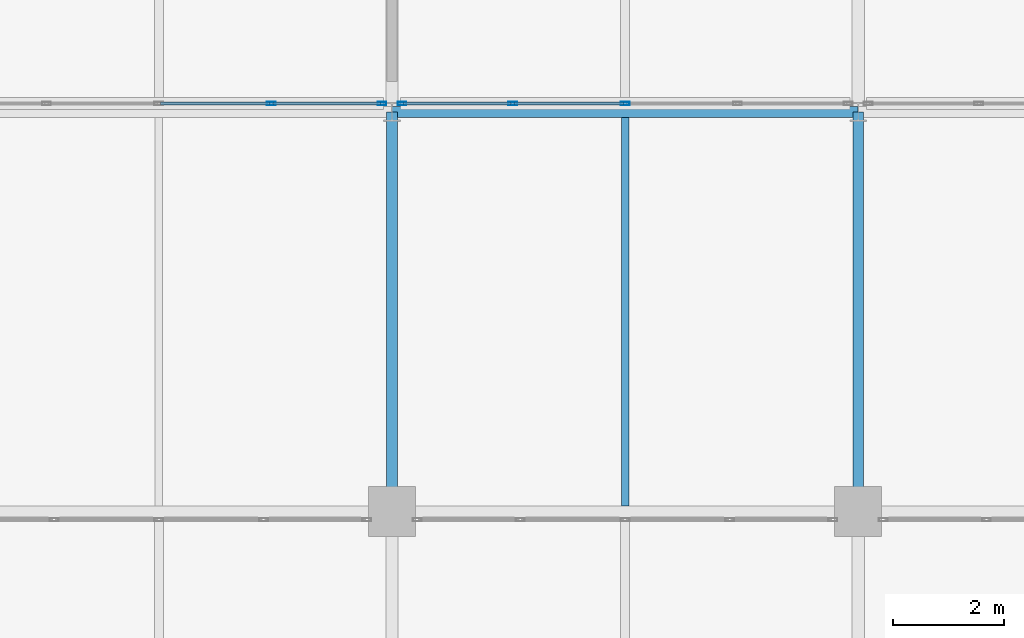
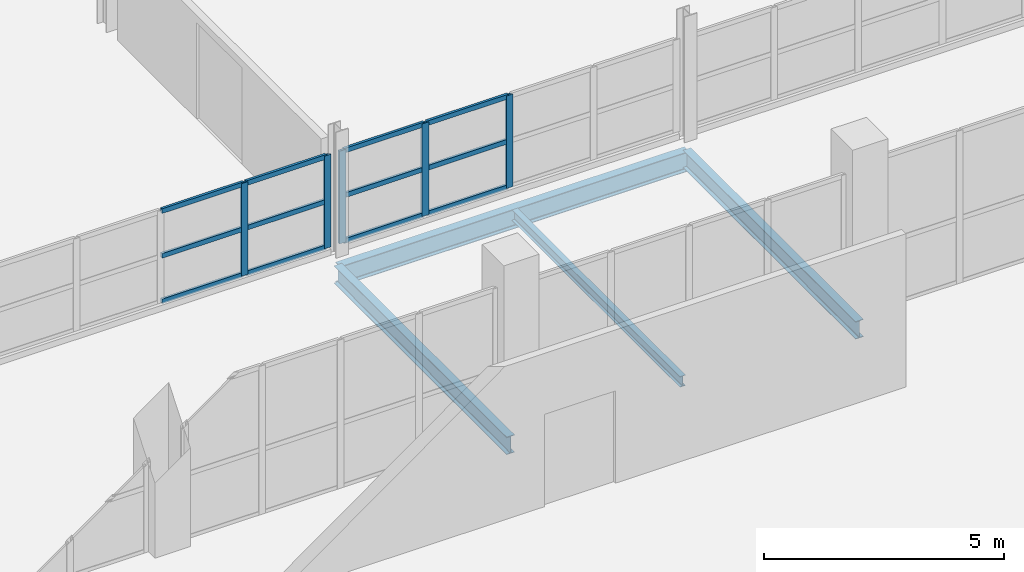
# One storey, part 38 of 103: 17 members, 4 beams, 2 elements without a shape of their own.
"""IFC4 building model written with IfcOpenShell, lengths in metres."""

from ifc_helpers import new_model, si_unit, direction, frame, origin, origin_2d, place, context, subcontext, project, spatial, hollow_rectangle, i_section, extrude, material, material_profile, profile_set, type_object, element, aggregate, save


model = new_model("IFC4")

# Units and contexts
model_context = context("Model", 3, precision=1e-05, world=origin(), true_north=direction((0.0, 1.0)))
body_context = subcontext(model_context, "Body", "Model", "MODEL_VIEW")
ifc_project = project(units=[si_unit("LENGTHUNIT", "METRE"), si_unit("AREAUNIT", "SQUARE_METRE"), si_unit("VOLUMEUNIT", "CUBIC_METRE"), si_unit("PLANEANGLEUNIT", "RADIAN"), si_unit("MASSUNIT", "GRAM", prefix="KILO")], contexts=[model_context])

# Site, building, storey
site_placement = place(None, origin())
site = spatial("IfcSite", under=ifc_project, at=site_placement, CompositionType="ELEMENT")
building_placement = place(site_placement, origin())
building = spatial("IfcBuilding", under=site, at=building_placement, Name="Veltarok Museum of Natural Sciences", CompositionType="ELEMENT")
storey_placement = place(building_placement, frame((0.0, 0.0, 21.89990234375)))
storey = spatial("IfcBuildingStorey", under=building, at=storey_placement, Name="L04", CompositionType="ELEMENT", Elevation=21.89990234375)

# Curtain wall, members
ifc_material_1 = material(Name="Low-iron triple insulated glass", Category="glass")
curtain_wall_type = type_object("IfcCurtainWallType", Name="Curtain Wall System CW-V2S-L04-810x236 (V2 South Setback L04 810x236cm)", PredefinedType="NOTDEFINED", material=ifc_material_1)
curtain_wall_1_placement = place(storey_placement, origin())
curtain_wall_1 = element("IfcCurtainWall", 1, at=curtain_wall_1_placement, inside=storey, type_object=curtain_wall_type, Name="Curtain Wall CW-V2S-L04-810x236 CW-0226", PredefinedType="NOTDEFINED")
ifc_material_2 = material(Name="Thermally broken anodised aluminium", Category="aluminium")
ifc_material_profile_1 = material_profile(ifc_material_2, hollow_rectangle(XDim=0.06005859375, YDim=0.1201171875, WallThickness=0.0048828125, at=origin_2d()), Name="CW TRANSOM 60x120x5")
ifc_profile_set_1 = profile_set([ifc_material_profile_1], Name="Thermally broken anodised aluminium")
member_type_1 = type_object("IfcMemberType", Name="Curtain Wall Horizontal Transom 60x120x5", PredefinedType="USERDEFINED", material=ifc_profile_set_1)
member_1_placement = place(storey_placement, frame((69.429931640625, 26.550048828125, 0.190185546875), z_axis=(1.0, 0.0, 0.0), x_axis=(0.0, 1.0, 0.0)))
member_1 = element("IfcMember", 2, at=member_1_placement, type_object=member_type_1, Name="CW-V2S-L04-810x236 transom 3.1", ObjectType="TRANSOM", PredefinedType="USERDEFINED", context=body_context, shape_type="SweptSolid", body=[
    extrude(hollow_rectangle(XDim=0.06005859375, YDim=0.1201171875, WallThickness=0.0048828125, at=origin_2d()), origin(), (0.0, 0.0, 1.0), 1.965087890625),
])
member_2_placement = place(storey_placement, frame((69.429931640625, 26.550048828125, 1.35009765625), z_axis=(1.0, 0.0, 0.0), x_axis=(0.0, 1.0, 0.0)))
member_2 = element("IfcMember", 3, at=member_2_placement, type_object=member_type_1, Name="CW-V2S-L04-810x236 transom 3.2", ObjectType="TRANSOM", PredefinedType="USERDEFINED", context=body_context, shape_type="SweptSolid", body=[
    extrude(hollow_rectangle(XDim=0.06005859375, YDim=0.1201171875, WallThickness=0.0048828125, at=origin_2d()), origin(), (0.0, 0.0, 1.0), 1.965087890625),
])
member_3_placement = place(storey_placement, frame((69.429931640625, 26.550048828125, 2.489990234375), z_axis=(1.0, 0.0, 0.0), x_axis=(0.0, 1.0, 0.0)))
member_3 = element("IfcMember", 4, at=member_3_placement, type_object=member_type_1, Name="CW-V2S-L04-810x236 transom 3.3", ObjectType="TRANSOM", PredefinedType="USERDEFINED", context=body_context, shape_type="SweptSolid", body=[
    extrude(hollow_rectangle(XDim=0.06005859375, YDim=0.1201171875, WallThickness=0.0048828125, at=origin_2d()), origin(), (0.0, 0.0, 1.0), 1.965087890625),
])
member_4_placement = place(storey_placement, frame((71.455078125, 26.550048828125, 0.190185546875), z_axis=(1.0, 0.0, 0.0), x_axis=(0.0, 1.0, 0.0)))
member_4 = element("IfcMember", 5, at=member_4_placement, type_object=member_type_1, Name="CW-V2S-L04-810x236 transom 4.1", ObjectType="TRANSOM", PredefinedType="USERDEFINED", context=body_context, shape_type="SweptSolid", body=[
    extrude(hollow_rectangle(XDim=0.06005859375, YDim=0.1201171875, WallThickness=0.0048828125, at=origin_2d()), origin(), (0.0, 0.0, 1.0), 1.934814453125),
])
member_5_placement = place(storey_placement, frame((71.455078125, 26.550048828125, 1.35009765625), z_axis=(1.0, 0.0, 0.0), x_axis=(0.0, 1.0, 0.0)))
member_5 = element("IfcMember", 6, at=member_5_placement, type_object=member_type_1, Name="CW-V2S-L04-810x236 transom 4.2", ObjectType="TRANSOM", PredefinedType="USERDEFINED", context=body_context, shape_type="SweptSolid", body=[
    extrude(hollow_rectangle(XDim=0.06005859375, YDim=0.1201171875, WallThickness=0.0048828125, at=origin_2d()), origin(), (0.0, 0.0, 1.0), 1.934814453125),
])
member_6_placement = place(storey_placement, frame((71.455078125, 26.550048828125, 2.489990234375), z_axis=(1.0, 0.0, 0.0), x_axis=(0.0, 1.0, 0.0)))
member_6 = element("IfcMember", 7, at=member_6_placement, type_object=member_type_1, Name="CW-V2S-L04-810x236 transom 4.3", ObjectType="TRANSOM", PredefinedType="USERDEFINED", context=body_context, shape_type="SweptSolid", body=[
    extrude(hollow_rectangle(XDim=0.06005859375, YDim=0.1201171875, WallThickness=0.0048828125, at=origin_2d()), origin(), (0.0, 0.0, 1.0), 1.934814453125),
])

curtain_wall_2_placement = place(storey_placement, origin())
curtain_wall_2 = element("IfcCurtainWall", 8, at=curtain_wall_2_placement, inside=storey, type_object=curtain_wall_type, Name="Curtain Wall CW-V2S-L04-810x236 CW-0227", PredefinedType="NOTDEFINED")
member_7_placement = place(storey_placement, frame((73.81005859375, 26.550048828125, 0.190185546875), z_axis=(1.0, 0.0, 0.0), x_axis=(0.0, 1.0, 0.0)))
member_7 = element("IfcMember", 9, at=member_7_placement, type_object=member_type_1, Name="CW-V2S-L04-810x236 transom 1.1", ObjectType="TRANSOM", PredefinedType="USERDEFINED", context=body_context, shape_type="SweptSolid", body=[
    extrude(hollow_rectangle(XDim=0.06005859375, YDim=0.1201171875, WallThickness=0.0048828125, at=origin_2d()), origin(), (0.0, 0.0, 1.0), 1.93505859375),
])
member_8_placement = place(storey_placement, frame((73.81005859375, 26.550048828125, 1.35009765625), z_axis=(1.0, 0.0, 0.0), x_axis=(0.0, 1.0, 0.0)))
member_8 = element("IfcMember", 10, at=member_8_placement, type_object=member_type_1, Name="CW-V2S-L04-810x236 transom 1.2", ObjectType="TRANSOM", PredefinedType="USERDEFINED", context=body_context, shape_type="SweptSolid", body=[
    extrude(hollow_rectangle(XDim=0.06005859375, YDim=0.1201171875, WallThickness=0.0048828125, at=origin_2d()), origin(), (0.0, 0.0, 1.0), 1.93505859375),
])
member_9_placement = place(storey_placement, frame((73.81005859375, 26.550048828125, 2.489990234375), z_axis=(1.0, 0.0, 0.0), x_axis=(0.0, 1.0, 0.0)))
member_9 = element("IfcMember", 11, at=member_9_placement, type_object=member_type_1, Name="CW-V2S-L04-810x236 transom 1.3", ObjectType="TRANSOM", PredefinedType="USERDEFINED", context=body_context, shape_type="SweptSolid", body=[
    extrude(hollow_rectangle(XDim=0.06005859375, YDim=0.1201171875, WallThickness=0.0048828125, at=origin_2d()), origin(), (0.0, 0.0, 1.0), 1.93505859375),
])
member_10_placement = place(storey_placement, frame((75.804931640625, 26.550048828125, 0.190185546875), z_axis=(1.0, 0.0, 0.0), x_axis=(0.0, 1.0, 0.0)))
member_10 = element("IfcMember", 12, at=member_10_placement, type_object=member_type_1, Name="CW-V2S-L04-810x236 transom 2.1", ObjectType="TRANSOM", PredefinedType="USERDEFINED", context=body_context, shape_type="SweptSolid", body=[
    extrude(hollow_rectangle(XDim=0.06005859375, YDim=0.1201171875, WallThickness=0.0048828125, at=origin_2d()), origin(), (0.0, 0.0, 1.0), 1.965087890625),
])
member_11_placement = place(storey_placement, frame((75.804931640625, 26.550048828125, 1.35009765625), z_axis=(1.0, 0.0, 0.0), x_axis=(0.0, 1.0, 0.0)))
member_11 = element("IfcMember", 13, at=member_11_placement, type_object=member_type_1, Name="CW-V2S-L04-810x236 transom 2.2", ObjectType="TRANSOM", PredefinedType="USERDEFINED", context=body_context, shape_type="SweptSolid", body=[
    extrude(hollow_rectangle(XDim=0.06005859375, YDim=0.1201171875, WallThickness=0.0048828125, at=origin_2d()), origin(), (0.0, 0.0, 1.0), 1.965087890625),
])
member_12_placement = place(storey_placement, frame((75.804931640625, 26.550048828125, 2.489990234375), z_axis=(1.0, 0.0, 0.0), x_axis=(0.0, 1.0, 0.0)))
member_12 = element("IfcMember", 14, at=member_12_placement, type_object=member_type_1, Name="CW-V2S-L04-810x236 transom 2.3", ObjectType="TRANSOM", PredefinedType="USERDEFINED", context=body_context, shape_type="SweptSolid", body=[
    extrude(hollow_rectangle(XDim=0.06005859375, YDim=0.1201171875, WallThickness=0.0048828125, at=origin_2d()), origin(), (0.0, 0.0, 1.0), 1.965087890625),
])

# Member
ifc_material_profile_2 = material_profile(ifc_material_2, hollow_rectangle(XDim=0.06005859375, YDim=0.159912109375, WallThickness=0.0048828125, at=origin_2d()), Name="CW MULLION 60x160x5")
ifc_profile_set_2 = profile_set([ifc_material_profile_2], Name="Thermally broken anodised aluminium")
member_type_2 = type_object("IfcMemberType", Name="Curtain Wall Vertical Mullion 60x160x5", PredefinedType="MULLION", material=ifc_profile_set_2)
member_13_placement = place(storey_placement, frame((71.425048828125, 26.550048828125, 0.16015625), z_axis=(0.0, 0.0, 1.0), x_axis=(0.0, 1.0, 0.0)))
member_13 = element("IfcMember", 15, at=member_13_placement, type_object=member_type_2, Name="CW-V2S-L04-810x236 mullion 4", PredefinedType="MULLION", context=body_context, shape_type="SweptSolid", body=[
    extrude(hollow_rectangle(XDim=0.06005859375, YDim=0.159912109375, WallThickness=0.0048828125, at=origin_2d()), origin(), (0.0, 0.0, 1.0), 2.35986328125),
])

member_14_placement = place(storey_placement, frame((73.419921875, 26.550048828125, 0.16015625), z_axis=(0.0, 0.0, 1.0), x_axis=(0.0, 1.0, 0.0)))
member_14 = element("IfcMember", 16, at=member_14_placement, type_object=member_type_2, Name="CW-V2S-L04-810x236 mullion 5", PredefinedType="MULLION", context=body_context, shape_type="SweptSolid", body=[
    extrude(hollow_rectangle(XDim=0.06005859375, YDim=0.159912109375, WallThickness=0.0048828125, at=origin_2d()), origin(), (0.0, 0.0, 1.0), 2.35986328125),
])

aggregate(curtain_wall_1, [member_13, member_14, member_1, member_2, member_3, member_4, member_5, member_6])

member_15_placement = place(storey_placement, frame((73.780029296875, 26.550048828125, 0.16015625), z_axis=(0.0, 0.0, 1.0), x_axis=(0.0, 1.0, 0.0)))
member_15 = element("IfcMember", 17, at=member_15_placement, type_object=member_type_2, Name="CW-V2S-L04-810x236 mullion 1", PredefinedType="MULLION", context=body_context, shape_type="SweptSolid", body=[
    extrude(hollow_rectangle(XDim=0.06005859375, YDim=0.159912109375, WallThickness=0.0048828125, at=origin_2d()), origin(), (0.0, 0.0, 1.0), 2.35986328125),
])

member_16_placement = place(storey_placement, frame((75.77490234375, 26.550048828125, 0.16015625), z_axis=(0.0, 0.0, 1.0), x_axis=(0.0, 1.0, 0.0)))
member_16 = element("IfcMember", 18, at=member_16_placement, type_object=member_type_2, Name="CW-V2S-L04-810x236 mullion 2", PredefinedType="MULLION", context=body_context, shape_type="SweptSolid", body=[
    extrude(hollow_rectangle(XDim=0.06005859375, YDim=0.159912109375, WallThickness=0.0048828125, at=origin_2d()), origin(), (0.0, 0.0, 1.0), 2.35986328125),
])

member_17_placement = place(storey_placement, frame((77.800048828125, 26.550048828125, 0.16015625), z_axis=(0.0, 0.0, 1.0), x_axis=(0.0, 1.0, 0.0)))
member_17 = element("IfcMember", 19, at=member_17_placement, type_object=member_type_2, Name="CW-V2S-L04-810x236 mullion 3", PredefinedType="MULLION", context=body_context, shape_type="SweptSolid", body=[
    extrude(hollow_rectangle(XDim=0.06005859375, YDim=0.159912109375, WallThickness=0.0048828125, at=origin_2d()), origin(), (0.0, 0.0, 1.0), 2.35986328125),
])

aggregate(curtain_wall_2, [member_15, member_16, member_17, member_7, member_8, member_9, member_10, member_11, member_12])

# Beams
ifc_material_3 = material(Name="Steel S355J2", Category="steel")
ifc_material_profile_3 = material_profile(ifc_material_3, i_section(OverallWidth=0.18994140625, OverallDepth=0.449951171875, WebThickness=0.009521484375, FlangeThickness=0.0146484375, FilletRadius=0.02099609375, at=origin_2d()), Name="IPE 450")
ifc_profile_set_3 = profile_set([ifc_material_profile_3], Name="Steel S355J2")
beam_type_1 = type_object("IfcBeamType", Name="Laboratory Floor Girder IPE 450", PredefinedType="BEAM", material=ifc_profile_set_3)
for number, where, z_axis, x_axis, name in (
    (20, (73.60009765625, 19.199951171875, -0.474853515625), (0.0, 1.0, 0.0), (-1.0, 0.0, 0.0), "Beam BM-G05 L04 9/C-D"),
    (21, (82.0, 19.199951171875, -0.474853515625), (0.0, 1.0, 0.0), (-1.0, 0.0, 0.0), "Beam BM-G05 L04 10/C-D"),
):
    element("IfcBeam", number, at=place(storey_placement, frame(where, z_axis=z_axis, x_axis=x_axis)), inside=storey, type_object=beam_type_1, Name=name, PredefinedType="BEAM", context=body_context, shape_type="SweptSolid", body=[
        extrude(i_section(OverallWidth=0.18994140625, OverallDepth=0.449951171875, WebThickness=0.009521484375, FlangeThickness=0.0146484375, FilletRadius=0.02099609375, at=origin_2d()), origin(), (0.0, 0.0, 1.0), 7.199951171875),
    ])
ifc_material_profile_4 = material_profile(ifc_material_3, i_section(OverallWidth=0.135009765625, OverallDepth=0.27001953125, WebThickness=0.006591796875, FlangeThickness=0.01025390625, FilletRadius=0.014892578125, at=origin_2d()), Name="IPE 270")
ifc_profile_set_4 = profile_set([ifc_material_profile_4], Name="Steel S355J2")
beam_type_2 = type_object("IfcBeamType", Name="Short-Bay Composite Joist IPE 270", PredefinedType="JOIST", material=ifc_profile_set_4)
beam_1_placement = place(storey_placement, frame((77.800048828125, 19.298095703125, -0.385009765625), z_axis=(0.0, 1.0, 0.0), x_axis=(-1.0, 0.0, 0.0)))
element("IfcBeam", 22, at=beam_1_placement, inside=storey, type_object=beam_type_2, Name="Secondary Joist BM-J04 L04 9-10/C-D.1", PredefinedType="JOIST", context=body_context, shape_type="SweptSolid", body=[
    extrude(i_section(OverallWidth=0.135009765625, OverallDepth=0.27001953125, WebThickness=0.006591796875, FlangeThickness=0.01025390625, FilletRadius=0.014892578125, at=origin_2d()), origin(), (0.0, 0.0, 1.0), 7.00390625),
])
ifc_material_profile_5 = material_profile(ifc_material_3, i_section(OverallWidth=0.199951171875, OverallDepth=0.5, WebThickness=0.01025390625, FlangeThickness=0.01611328125, FilletRadius=0.02099609375, at=origin_2d()), Name="IPE 500")
ifc_profile_set_5 = profile_set([ifc_material_profile_5], Name="Steel S355J2")
beam_type_3 = type_object("IfcBeamType", Name="Standard Gallery Girder IPE 500", PredefinedType="BEAM", material=ifc_profile_set_5)
beam_2_placement = place(storey_placement, frame((73.60009765625, 26.39990234375, -0.5), z_axis=(1.0, 0.0, 0.0), x_axis=(0.0, 1.0, 0.0)))
element("IfcBeam", 23, at=beam_2_placement, inside=storey, type_object=beam_type_3, Name="Beam BM-G04 L04 9-10/D", PredefinedType="BEAM", context=body_context, shape_type="SweptSolid", body=[
    extrude(i_section(OverallWidth=0.199951171875, OverallDepth=0.5, WebThickness=0.01025390625, FlangeThickness=0.01611328125, FilletRadius=0.02099609375, at=origin_2d()), origin(), (0.0, 0.0, 1.0), 8.39990234375),
])

save(model, "model.ifc")
